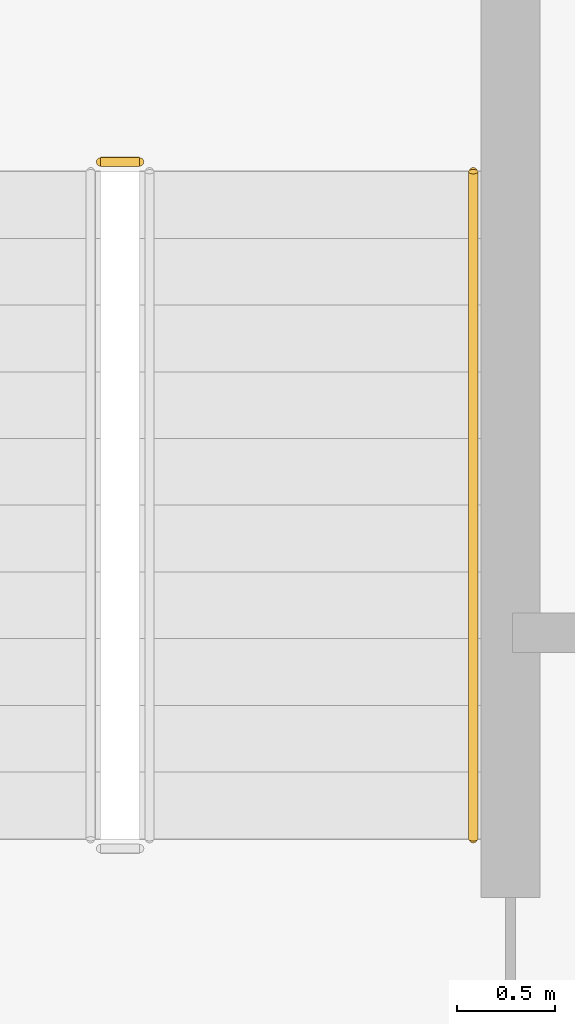
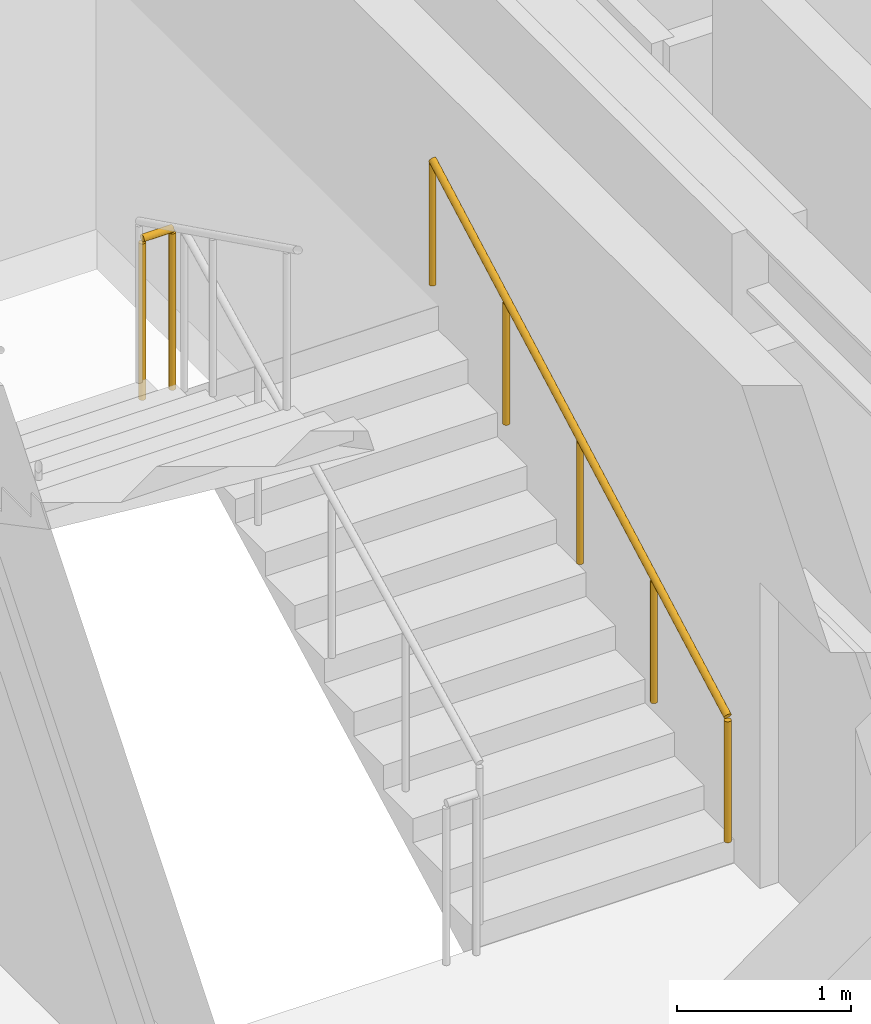
# One storey, part 35 of 36: 2 railings.
"""IFC4 building model written with IfcOpenShell, lengths in metres."""

from ifc_helpers import new_model, si_unit, direction, frame, origin, origin_2d, place, context, subcontext, project, spatial, circle, extrude, material, type_object, element, save


model = new_model("IFC4")

# Units and contexts
model_context = context("Model", 3, precision=1e-05, world=origin(), true_north=direction((0.0, 1.0)))
body_context = subcontext(model_context, "Body", "Model", "MODEL_VIEW")
ifc_project = project(units=[si_unit("LENGTHUNIT", "METRE"), si_unit("AREAUNIT", "SQUARE_METRE"), si_unit("VOLUMEUNIT", "CUBIC_METRE"), si_unit("PLANEANGLEUNIT", "RADIAN"), si_unit("MASSUNIT", "GRAM", prefix="KILO")], contexts=[model_context])

# Site, building, storey
site_placement = place(None, origin())
site = spatial("IfcSite", under=ifc_project, at=site_placement, CompositionType="ELEMENT")
building_placement = place(site_placement, origin())
building = spatial("IfcBuilding", under=site, at=building_placement, Name="Nahalor Promenade Grand Hotel", CompositionType="ELEMENT")
storey_placement = place(building_placement, frame((0.0, 0.0, 212.300048828125)))
storey = spatial("IfcBuildingStorey", under=building, at=storey_placement, Name="L54", CompositionType="ELEMENT", Elevation=212.300048828125)

# Railings
ifc_material = material(Name="Steel S355JR", Category="steel")
railing_type_1 = type_object("IfcRailingType", Name="Steel Stair Guardrail 1150 mm", PredefinedType="GUARDRAIL", material=ifc_material)
railing_1_placement = place(storey_placement, frame((5.699951171875, 11.550048828125, 1.849853515625)))
element("IfcRailing", 1, at=railing_1_placement, inside=storey, type_object=railing_type_1, Name="L54 ST1 stair guard 2", PredefinedType="GUARDRAIL", context=body_context, shape_type="SweptSolid", body=[
    extrude(circle(Radius=0.024048, at=origin_2d()), frame((0.0, 0.0, 1.1259765625), z_axis=(-1.0, 0.0, 0.0), x_axis=(0.0, -1.0, 0.0)), (0.0, 0.0, 1.0), 0.199951171875),
    extrude(circle(Radius=0.020996, at=origin_2d()), origin(), (0.0, 0.0, 1.0), 1.099853515625),
    extrude(circle(Radius=0.020996, at=origin_2d()), frame((-0.199951171875, 0.0, 0.0)), (0.0, 0.0, 1.0), 1.099853515625),
])
railing_type_2 = type_object("IfcRailingType", Name="Steel Stair Handrail 900 mm", PredefinedType="HANDRAIL", material=ifc_material)
railing_2_placement = place(storey_placement, frame((7.39990234375, 8.10009765625, 0.168212890625)))
element("IfcRailing", 2, at=railing_2_placement, inside=storey, type_object=railing_type_2, Name="L54 ST1 stair handrail 1", PredefinedType="HANDRAIL", context=body_context, shape_type="SweptSolid", body=[
    extrude(circle(Radius=0.024048, at=origin_2d()), frame((0.0, 0.0, 0.8759765625), z_axis=(0.0, 0.878398892953, 0.47792822145), x_axis=(-1.0, 0.0, 0.0)), (0.0, 0.0, 1.0), 3.87060546875),
    extrude(circle(Radius=0.020996, at=origin_2d()), origin(), (0.0, 0.0, 1.0), 0.849853515625),
    extrude(circle(Radius=0.020996, at=origin_2d()), frame((0.0, 0.85009765625, 0.46240234375)), (0.0, 0.0, 1.0), 0.849853515625),
    extrude(circle(Radius=0.020996, at=origin_2d()), frame((0.0, 1.699951171875, 0.9248046875)), (0.0, 0.0, 1.0), 0.849853515625),
    extrude(circle(Radius=0.020996, at=origin_2d()), frame((0.0, 2.5498046875, 1.387451171875)), (0.0, 0.0, 1.0), 0.849853515625),
    extrude(circle(Radius=0.020996, at=origin_2d()), frame((0.0, 3.39990234375, 1.849853515625)), (0.0, 0.0, 1.0), 0.849853515625),
])

save(model, "model.ifc")
